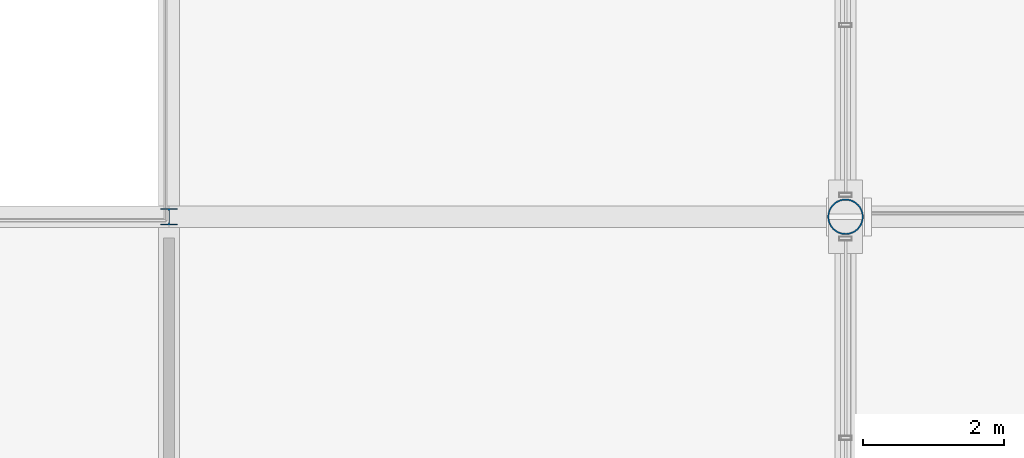
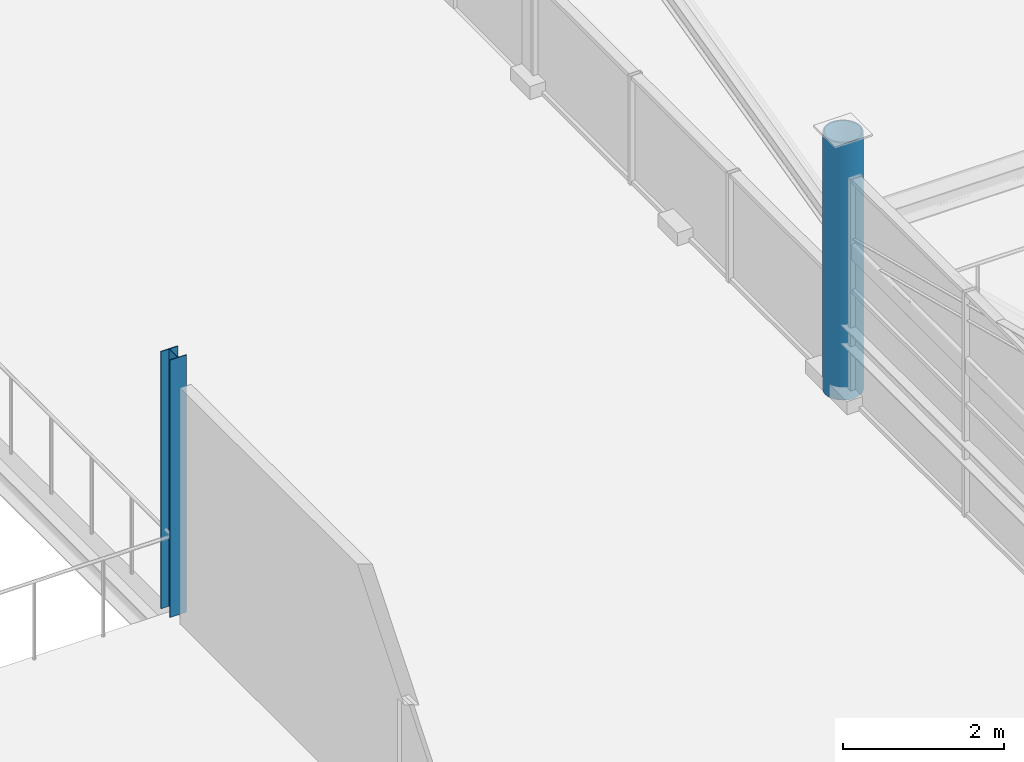
# One storey, part 3 of 117: 2 columns.
"""IFC4 building model written with IfcOpenShell, lengths in metres."""

from ifc_helpers import new_model, si_unit, direction, frame, origin, origin_2d, place, context, subcontext, project, spatial, hollow_circle, i_section, extrude, material, material_profile, profile_set, type_object, element, save


model = new_model("IFC4")

# Units and contexts
model_context = context("Model", 3, precision=1e-05, world=origin(), true_north=direction((0.0, 1.0)))
body_context = subcontext(model_context, "Body", "Model", "MODEL_VIEW")
ifc_project = project(units=[si_unit("LENGTHUNIT", "METRE"), si_unit("AREAUNIT", "SQUARE_METRE"), si_unit("VOLUMEUNIT", "CUBIC_METRE"), si_unit("PLANEANGLEUNIT", "RADIAN"), si_unit("MASSUNIT", "GRAM", prefix="KILO")], contexts=[model_context])

# Site, building, storey
site_placement = place(None, origin())
site = spatial("IfcSite", under=ifc_project, at=site_placement, CompositionType="ELEMENT")
building_placement = place(site_placement, origin())
building = spatial("IfcBuilding", under=site, at=building_placement, Name="Merenkruunu Market Hall", CompositionType="ELEMENT")
storey_placement = place(building_placement, frame((0.0, 0.0, 10.199951171875)))
storey = spatial("IfcBuildingStorey", under=building, at=storey_placement, Name="L02", CompositionType="ELEMENT", Elevation=10.199951171875)

# Columns
ifc_material_1 = material(Name="Steel S355J2", Category="steel")
ifc_material_profile_1 = material_profile(ifc_material_1, i_section(OverallWidth=0.239990234375, OverallDepth=0.22998046875, WebThickness=0.007568359375, FlangeThickness=0.011962890625, FilletRadius=0.02099609375, at=origin_2d()), Name="HEA 240")
ifc_profile_set_1 = profile_set([ifc_material_profile_1], Name="Steel S355J2")
column_type_1 = type_object("IfcColumnType", Name="Structural Column C10", PredefinedType="COLUMN", material=ifc_profile_set_1)
column_1_placement = place(storey_placement, frame((48.0, 27.60009765625, 0.0), z_axis=(0.0, 0.0, 1.0), x_axis=(1.0, 0.0, 0.0)))
element("IfcColumn", 1, at=column_1_placement, inside=storey, type_object=column_type_1, Name="COL-L02-F-04", PredefinedType="COLUMN", context=body_context, shape_type="SweptSolid", body=[
    extrude(i_section(OverallWidth=0.239990234375, OverallDepth=0.22998046875, WebThickness=0.007568359375, FlangeThickness=0.011962890625, FilletRadius=0.02099609375, at=origin_2d()), origin(), (0.0, 0.0, 1.0), 3.900146484375),
])
ifc_material_2 = material(Name="Steel S355ML", Category="steel")
ifc_material_profile_2 = material_profile(ifc_material_2, hollow_circle(Radius=0.25390625, WallThickness=0.02001953125, at=origin_2d()), Name="CHS 508x20")
ifc_profile_set_2 = profile_set([ifc_material_profile_2], Name="Steel S355ML")
column_type_2 = type_object("IfcColumnType", Name="Structural Column C11", PredefinedType="COLUMN", material=ifc_profile_set_2)
column_2_placement = place(storey_placement, frame((57.60009765625, 27.60009765625, 0.0), z_axis=(0.0, 0.0, 1.0), x_axis=(1.0, 0.0, 0.0)))
element("IfcColumn", 2, at=column_2_placement, inside=storey, type_object=column_type_2, Name="COL-L02-G-04", PredefinedType="COLUMN", context=body_context, shape_type="SweptSolid", body=[
    extrude(hollow_circle(Radius=0.25390625, WallThickness=0.02001953125, at=origin_2d()), origin(), (0.0, 0.0, 1.0), 3.900146484375),
])

save(model, "model.ifc")
